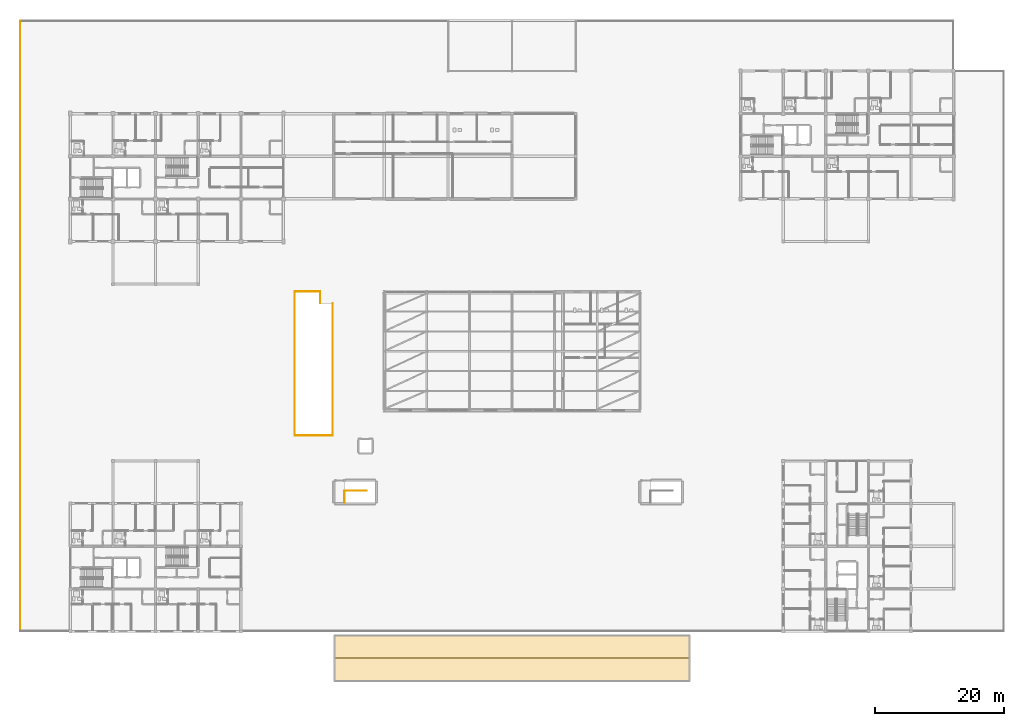
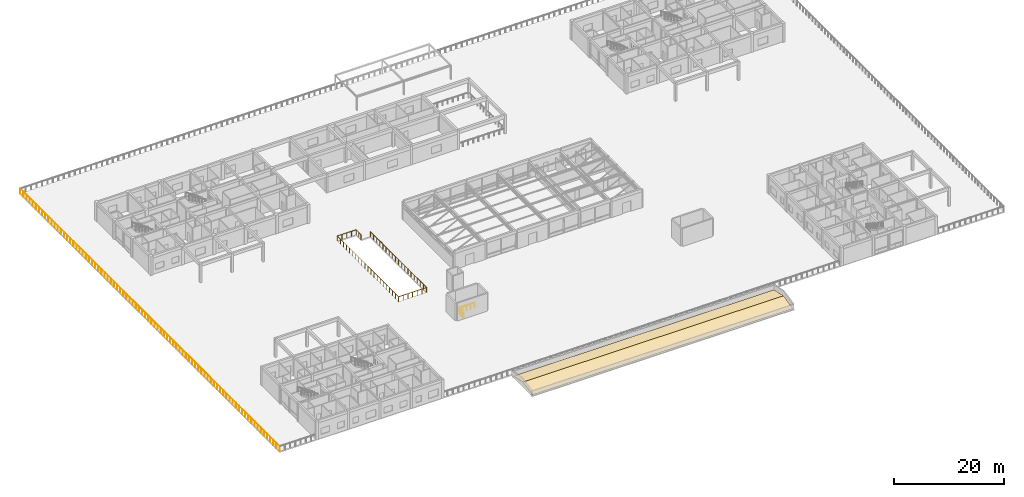
# One storey, part 82 of 92: 3 railings, 2 coverings.
"""IFC4 building model written with IfcOpenShell, lengths in metres."""

from ifc_helpers import new_model, si_unit, direction, frame, origin, origin_2d, place, context, subcontext, project, spatial, polyline, circle, outline, extrude, material, layer, layer_set, type_object, element, save


model = new_model("IFC4")

# Units and contexts
model_context = context("Model", 3, precision=1e-05, world=origin(), true_north=direction((0.0, 1.0)))
body_context = subcontext(model_context, "Body", "Model", "MODEL_VIEW")
ifc_project = project(units=[si_unit("LENGTHUNIT", "METRE"), si_unit("AREAUNIT", "SQUARE_METRE"), si_unit("VOLUMEUNIT", "CUBIC_METRE"), si_unit("PLANEANGLEUNIT", "RADIAN"), si_unit("MASSUNIT", "GRAM", prefix="KILO")], contexts=[model_context])

# Site, building, storey
site_placement = place(None, origin())
site = spatial("IfcSite", under=ifc_project, at=site_placement, CompositionType="ELEMENT")
building_placement = place(site_placement, origin())
building = spatial("IfcBuilding", under=site, at=building_placement, Name="Kernevlak Ridge Housing Community", CompositionType="ELEMENT")
storey_placement = place(building_placement, frame((0.0, 0.0, 4.199951171875)))
storey = spatial("IfcBuildingStorey", under=building, at=storey_placement, Name="L01", CompositionType="ELEMENT", Elevation=4.199951171875)

# Coverings
ifc_material_1 = material(Name="Cool-white TPO membrane over rigid roof insulation")
ifc_layer = layer(ifc_material_1, 0.06005859375, Name="Cool-white TPO membrane over rigid roof insulation")
ifc_layer_set = layer_set([ifc_layer], Name="Cool-white TPO membrane over rigid roof insulation")
covering_type = type_object("IfcCoveringType", Name="CV-03", PredefinedType="ROOFING", material=ifc_layer_set)
for number, where, z_axis, x_axis, name in (
    (1, (56.60009765625, 8.0, 0.10546875), (0.0, -0.214016409467, 0.976830065303), (1.0, 0.0, 0.0), "Retail arcade roof membrane (south slope)"),
    (2, (56.60009765625, 11.449951171875, 0.861328125), (0.0, 0.214016409467, 0.976830065303), (1.0, 0.0, 0.0), "Retail arcade roof membrane (north slope)"),
):
    element("IfcCovering", number, at=place(storey_placement, frame(where, z_axis=z_axis, x_axis=x_axis)), inside=storey, type_object=covering_type, Name=name, PredefinedType="ROOFING", context=body_context, shape_type="SweptSolid", body=[
        extrude(outline(polyline([(0.0, 0.0), (54.7998046875, 0.0), (54.7998046875, 3.531782338012505), (0.0, 3.531782338012505), (0.0, 0.0)])), origin(), (0.0, 0.0, -1.0), 0.06005859375),
    ])

# Railings
ifc_material_2 = material(Name="Steel S355", Category="steel")
railing_type_1 = type_object("IfcRailingType", Name="GR-01", PredefinedType="GUARDRAIL", material=ifc_material_2)
railing_1_placement = place(storey_placement, frame((7.85009765625, 110.14990234375, 0.0)))
element("IfcRailing", 3, at=railing_1_placement, inside=storey, type_object=railing_type_1, Name="L01 civic plaza perimeter guard GR-01 63", PredefinedType="GUARDRAIL", context=body_context, shape_type="SweptSolid", body=[
    extrude(circle(Radius=0.02392578125, at=origin_2d()), frame((0.0, 0.0, 1.09619140625), z_axis=(0.0, -1.0, 0.0), x_axis=(1.0, 0.0, 0.0)), (0.0, 0.0, 1.0), 94.5),
    extrude(circle(Radius=0.02099609375, at=origin_2d()), origin(), (0.0, 0.0, 1.0), 1.072021484375),
    extrude(circle(Radius=0.02099609375, at=origin_2d()), frame((0.0, -1.138671875, 0.0)), (0.0, 0.0, 1.0), 1.072021484375),
    extrude(circle(Radius=0.02099609375, at=origin_2d()), frame((0.0, -2.277099609375, 0.0)), (0.0, 0.0, 1.0), 1.072021484375),
    extrude(circle(Radius=0.02099609375, at=origin_2d()), frame((0.0, -3.415771484375, 0.0)), (0.0, 0.0, 1.0), 1.072021484375),
    extrude(circle(Radius=0.02099609375, at=origin_2d()), frame((0.0, -4.55419921875, 0.0)), (0.0, 0.0, 1.0), 1.072021484375),
    extrude(circle(Radius=0.02099609375, at=origin_2d()), frame((0.0, -5.69287109375, 0.0)), (0.0, 0.0, 1.0), 1.072021484375),
    extrude(circle(Radius=0.02099609375, at=origin_2d()), frame((0.0, -6.831298828125, 0.0)), (0.0, 0.0, 1.0), 1.072021484375),
    extrude(circle(Radius=0.02099609375, at=origin_2d()), frame((0.0, -7.969970703125, 0.0)), (0.0, 0.0, 1.0), 1.072021484375),
    extrude(circle(Radius=0.02099609375, at=origin_2d()), frame((0.0, -9.1083984375, 0.0)), (0.0, 0.0, 1.0), 1.072021484375),
    extrude(circle(Radius=0.02099609375, at=origin_2d()), frame((0.0, -10.2470703125, 0.0)), (0.0, 0.0, 1.0), 1.072021484375),
    extrude(circle(Radius=0.02099609375, at=origin_2d()), frame((0.0, -11.385498046875, 0.0)), (0.0, 0.0, 1.0), 1.072021484375),
    extrude(circle(Radius=0.02099609375, at=origin_2d()), frame((0.0, -12.524169921875, 0.0)), (0.0, 0.0, 1.0), 1.072021484375),
    extrude(circle(Radius=0.02099609375, at=origin_2d()), frame((0.0, -13.66259765625, 0.0)), (0.0, 0.0, 1.0), 1.072021484375),
    extrude(circle(Radius=0.02099609375, at=origin_2d()), frame((0.0, -14.80126953125, 0.0)), (0.0, 0.0, 1.0), 1.072021484375),
    extrude(circle(Radius=0.02099609375, at=origin_2d()), frame((0.0, -15.939697265625, 0.0)), (0.0, 0.0, 1.0), 1.072021484375),
    extrude(circle(Radius=0.02099609375, at=origin_2d()), frame((0.0, -17.078369140625, 0.0)), (0.0, 0.0, 1.0), 1.072021484375),
    extrude(circle(Radius=0.02099609375, at=origin_2d()), frame((0.0, -18.216796875, 0.0)), (0.0, 0.0, 1.0), 1.072021484375),
    extrude(circle(Radius=0.02099609375, at=origin_2d()), frame((0.0, -19.35546875, 0.0)), (0.0, 0.0, 1.0), 1.072021484375),
    extrude(circle(Radius=0.02099609375, at=origin_2d()), frame((0.0, -20.493896484375, 0.0)), (0.0, 0.0, 1.0), 1.072021484375),
    extrude(circle(Radius=0.02099609375, at=origin_2d()), frame((0.0, -21.632568359375, 0.0)), (0.0, 0.0, 1.0), 1.072021484375),
    extrude(circle(Radius=0.02099609375, at=origin_2d()), frame((0.0, -22.77099609375, 0.0)), (0.0, 0.0, 1.0), 1.072021484375),
    extrude(circle(Radius=0.02099609375, at=origin_2d()), frame((0.0, -23.90966796875, 0.0)), (0.0, 0.0, 1.0), 1.072021484375),
    extrude(circle(Radius=0.02099609375, at=origin_2d()), frame((0.0, -25.048095703125, 0.0)), (0.0, 0.0, 1.0), 1.072021484375),
    extrude(circle(Radius=0.02099609375, at=origin_2d()), frame((0.0, -26.186767578125, 0.0)), (0.0, 0.0, 1.0), 1.072021484375),
    extrude(circle(Radius=0.02099609375, at=origin_2d()), frame((0.0, -27.3251953125, 0.0)), (0.0, 0.0, 1.0), 1.072021484375),
    extrude(circle(Radius=0.02099609375, at=origin_2d()), frame((0.0, -28.4638671875, 0.0)), (0.0, 0.0, 1.0), 1.072021484375),
    extrude(circle(Radius=0.02099609375, at=origin_2d()), frame((0.0, -29.602294921875, 0.0)), (0.0, 0.0, 1.0), 1.072021484375),
    extrude(circle(Radius=0.02099609375, at=origin_2d()), frame((0.0, -30.740966796875, 0.0)), (0.0, 0.0, 1.0), 1.072021484375),
    extrude(circle(Radius=0.02099609375, at=origin_2d()), frame((0.0, -31.879638671875, 0.0)), (0.0, 0.0, 1.0), 1.072021484375),
    extrude(circle(Radius=0.02099609375, at=origin_2d()), frame((0.0, -33.01806640625, 0.0)), (0.0, 0.0, 1.0), 1.072021484375),
    extrude(circle(Radius=0.02099609375, at=origin_2d()), frame((0.0, -34.15673828125, 0.0)), (0.0, 0.0, 1.0), 1.072021484375),
    extrude(circle(Radius=0.02099609375, at=origin_2d()), frame((0.0, -35.295166015625, 0.0)), (0.0, 0.0, 1.0), 1.072021484375),
    extrude(circle(Radius=0.02099609375, at=origin_2d()), frame((0.0, -36.433837890625, 0.0)), (0.0, 0.0, 1.0), 1.072021484375),
    extrude(circle(Radius=0.02099609375, at=origin_2d()), frame((0.0, -37.572265625, 0.0)), (0.0, 0.0, 1.0), 1.072021484375),
    extrude(circle(Radius=0.02099609375, at=origin_2d()), frame((0.0, -38.7109375, 0.0)), (0.0, 0.0, 1.0), 1.072021484375),
    extrude(circle(Radius=0.02099609375, at=origin_2d()), frame((0.0, -39.849365234375, 0.0)), (0.0, 0.0, 1.0), 1.072021484375),
    extrude(circle(Radius=0.02099609375, at=origin_2d()), frame((0.0, -40.988037109375, 0.0)), (0.0, 0.0, 1.0), 1.072021484375),
    extrude(circle(Radius=0.02099609375, at=origin_2d()), frame((0.0, -42.12646484375, 0.0)), (0.0, 0.0, 1.0), 1.072021484375),
    extrude(circle(Radius=0.02099609375, at=origin_2d()), frame((0.0, -43.26513671875, 0.0)), (0.0, 0.0, 1.0), 1.072021484375),
    extrude(circle(Radius=0.02099609375, at=origin_2d()), frame((0.0, -44.403564453125, 0.0)), (0.0, 0.0, 1.0), 1.072021484375),
    extrude(circle(Radius=0.02099609375, at=origin_2d()), frame((0.0, -45.542236328125, 0.0)), (0.0, 0.0, 1.0), 1.072021484375),
    extrude(circle(Radius=0.02099609375, at=origin_2d()), frame((0.0, -46.6806640625, 0.0)), (0.0, 0.0, 1.0), 1.072021484375),
    extrude(circle(Radius=0.02099609375, at=origin_2d()), frame((0.0, -47.8193359375, 0.0)), (0.0, 0.0, 1.0), 1.072021484375),
    extrude(circle(Radius=0.02099609375, at=origin_2d()), frame((0.0, -48.957763671875, 0.0)), (0.0, 0.0, 1.0), 1.072021484375),
    extrude(circle(Radius=0.02099609375, at=origin_2d()), frame((0.0, -50.096435546875, 0.0)), (0.0, 0.0, 1.0), 1.072021484375),
    extrude(circle(Radius=0.02099609375, at=origin_2d()), frame((0.0, -51.23486328125, 0.0)), (0.0, 0.0, 1.0), 1.072021484375),
    extrude(circle(Radius=0.02099609375, at=origin_2d()), frame((0.0, -52.37353515625, 0.0)), (0.0, 0.0, 1.0), 1.072021484375),
    extrude(circle(Radius=0.02099609375, at=origin_2d()), frame((0.0, -53.511962890625, 0.0)), (0.0, 0.0, 1.0), 1.072021484375),
    extrude(circle(Radius=0.02099609375, at=origin_2d()), frame((0.0, -54.650634765625, 0.0)), (0.0, 0.0, 1.0), 1.072021484375),
    extrude(circle(Radius=0.02099609375, at=origin_2d()), frame((0.0, -55.7890625, 0.0)), (0.0, 0.0, 1.0), 1.072021484375),
    extrude(circle(Radius=0.02099609375, at=origin_2d()), frame((0.0, -56.927734375, 0.0)), (0.0, 0.0, 1.0), 1.072021484375),
    extrude(circle(Radius=0.02099609375, at=origin_2d()), frame((0.0, -58.066162109375, 0.0)), (0.0, 0.0, 1.0), 1.072021484375),
    extrude(circle(Radius=0.02099609375, at=origin_2d()), frame((0.0, -59.204833984375, 0.0)), (0.0, 0.0, 1.0), 1.072021484375),
    extrude(circle(Radius=0.02099609375, at=origin_2d()), frame((0.0, -60.34326171875, 0.0)), (0.0, 0.0, 1.0), 1.072021484375),
    extrude(circle(Radius=0.02099609375, at=origin_2d()), frame((0.0, -61.48193359375, 0.0)), (0.0, 0.0, 1.0), 1.072021484375),
    extrude(circle(Radius=0.02099609375, at=origin_2d()), frame((0.0, -62.620361328125, 0.0)), (0.0, 0.0, 1.0), 1.072021484375),
    extrude(circle(Radius=0.02099609375, at=origin_2d()), frame((0.0, -63.759033203125, 0.0)), (0.0, 0.0, 1.0), 1.072021484375),
    extrude(circle(Radius=0.02099609375, at=origin_2d()), frame((0.0, -64.897705078125, 0.0)), (0.0, 0.0, 1.0), 1.072021484375),
    extrude(circle(Radius=0.02099609375, at=origin_2d()), frame((0.0, -66.0361328125, 0.0)), (0.0, 0.0, 1.0), 1.072021484375),
    extrude(circle(Radius=0.02099609375, at=origin_2d()), frame((0.0, -67.1748046875, 0.0)), (0.0, 0.0, 1.0), 1.072021484375),
    extrude(circle(Radius=0.02099609375, at=origin_2d()), frame((0.0, -68.313232421875, 0.0)), (0.0, 0.0, 1.0), 1.072021484375),
    extrude(circle(Radius=0.02099609375, at=origin_2d()), frame((0.0, -69.451904296875, 0.0)), (0.0, 0.0, 1.0), 1.072021484375),
    extrude(circle(Radius=0.02099609375, at=origin_2d()), frame((0.0, -70.59033203125, 0.0)), (0.0, 0.0, 1.0), 1.072021484375),
    extrude(circle(Radius=0.02099609375, at=origin_2d()), frame((0.0, -71.72900390625, 0.0)), (0.0, 0.0, 1.0), 1.072021484375),
    extrude(circle(Radius=0.02099609375, at=origin_2d()), frame((0.0, -72.867431640625, 0.0)), (0.0, 0.0, 1.0), 1.072021484375),
    extrude(circle(Radius=0.02099609375, at=origin_2d()), frame((0.0, -74.006103515625, 0.0)), (0.0, 0.0, 1.0), 1.072021484375),
    extrude(circle(Radius=0.02099609375, at=origin_2d()), frame((0.0, -75.14453125, 0.0)), (0.0, 0.0, 1.0), 1.072021484375),
    extrude(circle(Radius=0.02099609375, at=origin_2d()), frame((0.0, -76.283203125, 0.0)), (0.0, 0.0, 1.0), 1.072021484375),
    extrude(circle(Radius=0.02099609375, at=origin_2d()), frame((0.0, -77.421630859375, 0.0)), (0.0, 0.0, 1.0), 1.072021484375),
    extrude(circle(Radius=0.02099609375, at=origin_2d()), frame((0.0, -78.560302734375, 0.0)), (0.0, 0.0, 1.0), 1.072021484375),
    extrude(circle(Radius=0.02099609375, at=origin_2d()), frame((0.0, -79.69873046875, 0.0)), (0.0, 0.0, 1.0), 1.072021484375),
    extrude(circle(Radius=0.02099609375, at=origin_2d()), frame((0.0, -80.83740234375, 0.0)), (0.0, 0.0, 1.0), 1.072021484375),
    extrude(circle(Radius=0.02099609375, at=origin_2d()), frame((0.0, -81.975830078125, 0.0)), (0.0, 0.0, 1.0), 1.072021484375),
    extrude(circle(Radius=0.02099609375, at=origin_2d()), frame((0.0, -83.114501953125, 0.0)), (0.0, 0.0, 1.0), 1.072021484375),
    extrude(circle(Radius=0.02099609375, at=origin_2d()), frame((0.0, -84.2529296875, 0.0)), (0.0, 0.0, 1.0), 1.072021484375),
    extrude(circle(Radius=0.02099609375, at=origin_2d()), frame((0.0, -85.3916015625, 0.0)), (0.0, 0.0, 1.0), 1.072021484375),
    extrude(circle(Radius=0.02099609375, at=origin_2d()), frame((0.0, -86.530029296875, 0.0)), (0.0, 0.0, 1.0), 1.072021484375),
    extrude(circle(Radius=0.02099609375, at=origin_2d()), frame((0.0, -87.668701171875, 0.0)), (0.0, 0.0, 1.0), 1.072021484375),
    extrude(circle(Radius=0.02099609375, at=origin_2d()), frame((0.0, -88.80712890625, 0.0)), (0.0, 0.0, 1.0), 1.072021484375),
    extrude(circle(Radius=0.02099609375, at=origin_2d()), frame((0.0, -89.94580078125, 0.0)), (0.0, 0.0, 1.0), 1.072021484375),
    extrude(circle(Radius=0.02099609375, at=origin_2d()), frame((0.0, -91.084228515625, 0.0)), (0.0, 0.0, 1.0), 1.072021484375),
    extrude(circle(Radius=0.02099609375, at=origin_2d()), frame((0.0, -92.222900390625, 0.0)), (0.0, 0.0, 1.0), 1.072021484375),
    extrude(circle(Radius=0.02099609375, at=origin_2d()), frame((0.0, -93.361328125, 0.0)), (0.0, 0.0, 1.0), 1.072021484375),
    extrude(circle(Radius=0.02099609375, at=origin_2d()), frame((0.0, -94.5, 0.0)), (0.0, 0.0, 1.0), 1.072021484375),
])
railing_2_placement = place(storey_placement, frame((54.300048828125, 66.449951171875, 0.0)))
element("IfcRailing", 4, at=railing_2_placement, inside=storey, type_object=railing_type_1, Name="L01 civic plaza perimeter guard GR-01 64", PredefinedType="GUARDRAIL", context=body_context, shape_type="SweptSolid", body=[
    extrude(circle(Radius=0.02392578125, at=origin_2d()), frame((0.0, 0.0, 1.09619140625), z_axis=(0.0, 1.0, 0.0), x_axis=(-1.0, 0.0, 0.0)), (0.0, 0.0, 1.0), 1.800048828125),
    extrude(circle(Radius=0.02392578125, at=origin_2d()), frame((0.0, 1.800048828125, 1.09619140625), z_axis=(-1.0, 0.0, 0.0), x_axis=(0.0, -1.0, 0.0)), (0.0, 0.0, 1.0), 3.949951171875),
    extrude(circle(Radius=0.02392578125, at=origin_2d()), frame((-3.949951171875, 1.800048828125, 1.09619140625), z_axis=(0.0, -1.0, 0.0), x_axis=(1.0, 0.0, 0.0)), (0.0, 0.0, 1.0), 22.300048828125),
    extrude(circle(Radius=0.02392578125, at=origin_2d()), frame((-3.949951171875, -20.5, 1.09619140625), z_axis=(1.0, 0.0, 0.0), x_axis=(0.0, 1.0, 0.0)), (0.0, 0.0, 1.0), 5.89990234375),
    extrude(circle(Radius=0.02392578125, at=origin_2d()), frame((1.949951171875, -20.5, 1.09619140625), z_axis=(0.0, 1.0, 0.0), x_axis=(-1.0, 0.0, 0.0)), (0.0, 0.0, 1.0), 20.449951171875),
    extrude(circle(Radius=0.02099609375, at=origin_2d()), origin(), (0.0, 0.0, 1.0), 1.072021484375),
    extrude(circle(Radius=0.02099609375, at=origin_2d()), frame((0.0, 0.89990234375, 0.0)), (0.0, 0.0, 1.0), 1.072021484375),
    extrude(circle(Radius=0.02099609375, at=origin_2d()), frame((0.0, 1.800048828125, 0.0)), (0.0, 0.0, 1.0), 1.072021484375),
    extrude(circle(Radius=0.02099609375, at=origin_2d()), frame((-0.987548828125, 1.800048828125, 0.0)), (0.0, 0.0, 1.0), 1.072021484375),
    extrude(circle(Radius=0.02099609375, at=origin_2d()), frame((-1.97509765625, 1.800048828125, 0.0)), (0.0, 0.0, 1.0), 1.072021484375),
    extrude(circle(Radius=0.02099609375, at=origin_2d()), frame((-2.96240234375, 1.800048828125, 0.0)), (0.0, 0.0, 1.0), 1.072021484375),
    extrude(circle(Radius=0.02099609375, at=origin_2d()), frame((-3.949951171875, 1.800048828125, 0.0)), (0.0, 0.0, 1.0), 1.072021484375),
    extrude(circle(Radius=0.02099609375, at=origin_2d()), frame((-3.949951171875, 0.68505859375, 0.0)), (0.0, 0.0, 1.0), 1.072021484375),
    extrude(circle(Radius=0.02099609375, at=origin_2d()), frame((-3.949951171875, -0.429931640625, 0.0)), (0.0, 0.0, 1.0), 1.072021484375),
    extrude(circle(Radius=0.02099609375, at=origin_2d()), frame((-3.949951171875, -1.544921875, 0.0)), (0.0, 0.0, 1.0), 1.072021484375),
    extrude(circle(Radius=0.02099609375, at=origin_2d()), frame((-3.949951171875, -2.659912109375, 0.0)), (0.0, 0.0, 1.0), 1.072021484375),
    extrude(circle(Radius=0.02099609375, at=origin_2d()), frame((-3.949951171875, -3.77490234375, 0.0)), (0.0, 0.0, 1.0), 1.072021484375),
    extrude(circle(Radius=0.02099609375, at=origin_2d()), frame((-3.949951171875, -4.889892578125, 0.0)), (0.0, 0.0, 1.0), 1.072021484375),
    extrude(circle(Radius=0.02099609375, at=origin_2d()), frame((-3.949951171875, -6.0048828125, 0.0)), (0.0, 0.0, 1.0), 1.072021484375),
    extrude(circle(Radius=0.02099609375, at=origin_2d()), frame((-3.949951171875, -7.119873046875, 0.0)), (0.0, 0.0, 1.0), 1.072021484375),
    extrude(circle(Radius=0.02099609375, at=origin_2d()), frame((-3.949951171875, -8.23486328125, 0.0)), (0.0, 0.0, 1.0), 1.072021484375),
    extrude(circle(Radius=0.02099609375, at=origin_2d()), frame((-3.949951171875, -9.35009765625, 0.0)), (0.0, 0.0, 1.0), 1.072021484375),
    extrude(circle(Radius=0.02099609375, at=origin_2d()), frame((-3.949951171875, -10.465087890625, 0.0)), (0.0, 0.0, 1.0), 1.072021484375),
    extrude(circle(Radius=0.02099609375, at=origin_2d()), frame((-3.949951171875, -11.580078125, 0.0)), (0.0, 0.0, 1.0), 1.072021484375),
    extrude(circle(Radius=0.02099609375, at=origin_2d()), frame((-3.949951171875, -12.695068359375, 0.0)), (0.0, 0.0, 1.0), 1.072021484375),
    extrude(circle(Radius=0.02099609375, at=origin_2d()), frame((-3.949951171875, -13.81005859375, 0.0)), (0.0, 0.0, 1.0), 1.072021484375),
    extrude(circle(Radius=0.02099609375, at=origin_2d()), frame((-3.949951171875, -14.925048828125, 0.0)), (0.0, 0.0, 1.0), 1.072021484375),
    extrude(circle(Radius=0.02099609375, at=origin_2d()), frame((-3.949951171875, -16.0400390625, 0.0)), (0.0, 0.0, 1.0), 1.072021484375),
    extrude(circle(Radius=0.02099609375, at=origin_2d()), frame((-3.949951171875, -17.155029296875, 0.0)), (0.0, 0.0, 1.0), 1.072021484375),
    extrude(circle(Radius=0.02099609375, at=origin_2d()), frame((-3.949951171875, -18.27001953125, 0.0)), (0.0, 0.0, 1.0), 1.072021484375),
    extrude(circle(Radius=0.02099609375, at=origin_2d()), frame((-3.949951171875, -19.385009765625, 0.0)), (0.0, 0.0, 1.0), 1.072021484375),
    extrude(circle(Radius=0.02099609375, at=origin_2d()), frame((-3.949951171875, -20.5, 0.0)), (0.0, 0.0, 1.0), 1.072021484375),
    extrude(circle(Radius=0.02099609375, at=origin_2d()), frame((-2.966552734375, -20.5, 0.0)), (0.0, 0.0, 1.0), 1.072021484375),
    extrude(circle(Radius=0.02099609375, at=origin_2d()), frame((-1.9833984375, -20.5, 0.0)), (0.0, 0.0, 1.0), 1.072021484375),
    extrude(circle(Radius=0.02099609375, at=origin_2d()), frame((-1.0, -20.5, 0.0)), (0.0, 0.0, 1.0), 1.072021484375),
    extrude(circle(Radius=0.02099609375, at=origin_2d()), frame((-0.0166015625, -20.5, 0.0)), (0.0, 0.0, 1.0), 1.072021484375),
    extrude(circle(Radius=0.02099609375, at=origin_2d()), frame((0.966552734375, -20.5, 0.0)), (0.0, 0.0, 1.0), 1.072021484375),
    extrude(circle(Radius=0.02099609375, at=origin_2d()), frame((1.949951171875, -20.5, 0.0)), (0.0, 0.0, 1.0), 1.072021484375),
    extrude(circle(Radius=0.02099609375, at=origin_2d()), frame((1.949951171875, -19.36376953125, 0.0)), (0.0, 0.0, 1.0), 1.072021484375),
    extrude(circle(Radius=0.02099609375, at=origin_2d()), frame((1.949951171875, -18.227783203125, 0.0)), (0.0, 0.0, 1.0), 1.072021484375),
    extrude(circle(Radius=0.02099609375, at=origin_2d()), frame((1.949951171875, -17.091796875, 0.0)), (0.0, 0.0, 1.0), 1.072021484375),
    extrude(circle(Radius=0.02099609375, at=origin_2d()), frame((1.949951171875, -15.95556640625, 0.0)), (0.0, 0.0, 1.0), 1.072021484375),
    extrude(circle(Radius=0.02099609375, at=origin_2d()), frame((1.949951171875, -14.8193359375, 0.0)), (0.0, 0.0, 1.0), 1.072021484375),
    extrude(circle(Radius=0.02099609375, at=origin_2d()), frame((1.949951171875, -13.683349609375, 0.0)), (0.0, 0.0, 1.0), 1.072021484375),
    extrude(circle(Radius=0.02099609375, at=origin_2d()), frame((1.949951171875, -12.54736328125, 0.0)), (0.0, 0.0, 1.0), 1.072021484375),
    extrude(circle(Radius=0.02099609375, at=origin_2d()), frame((1.949951171875, -11.4111328125, 0.0)), (0.0, 0.0, 1.0), 1.072021484375),
    extrude(circle(Radius=0.02099609375, at=origin_2d()), frame((1.949951171875, -10.27490234375, 0.0)), (0.0, 0.0, 1.0), 1.072021484375),
    extrude(circle(Radius=0.02099609375, at=origin_2d()), frame((1.949951171875, -9.138916015625, 0.0)), (0.0, 0.0, 1.0), 1.072021484375),
    extrude(circle(Radius=0.02099609375, at=origin_2d()), frame((1.949951171875, -8.002685546875, 0.0)), (0.0, 0.0, 1.0), 1.072021484375),
    extrude(circle(Radius=0.02099609375, at=origin_2d()), frame((1.949951171875, -6.86669921875, 0.0)), (0.0, 0.0, 1.0), 1.072021484375),
    extrude(circle(Radius=0.02099609375, at=origin_2d()), frame((1.949951171875, -5.73046875, 0.0)), (0.0, 0.0, 1.0), 1.072021484375),
    extrude(circle(Radius=0.02099609375, at=origin_2d()), frame((1.949951171875, -4.594482421875, 0.0)), (0.0, 0.0, 1.0), 1.072021484375),
    extrude(circle(Radius=0.02099609375, at=origin_2d()), frame((1.949951171875, -3.45849609375, 0.0)), (0.0, 0.0, 1.0), 1.072021484375),
    extrude(circle(Radius=0.02099609375, at=origin_2d()), frame((1.949951171875, -2.322265625, 0.0)), (0.0, 0.0, 1.0), 1.072021484375),
    extrude(circle(Radius=0.02099609375, at=origin_2d()), frame((1.949951171875, -1.18603515625, 0.0)), (0.0, 0.0, 1.0), 1.072021484375),
    extrude(circle(Radius=0.02099609375, at=origin_2d()), frame((1.949951171875, -0.050048828125, 0.0)), (0.0, 0.0, 1.0), 1.072021484375),
])
railing_type_2 = type_object("IfcRailingType", Name="GR-02", PredefinedType="GUARDRAIL", material=ifc_material_2)
railing_3_placement = place(storey_placement, frame((58.0400390625, 35.580078125, 0.0)))
element("IfcRailing", 5, at=railing_3_placement, inside=storey, type_object=railing_type_2, Name="Stair ST-P1 L01 top well guardrail", PredefinedType="GUARDRAIL", context=body_context, shape_type="SweptSolid", body=[
    extrude(circle(Radius=0.02392578125, at=origin_2d()), frame((0.0, 0.0, 1.09619140625), z_axis=(0.0, 1.0, 0.0), x_axis=(-1.0, 0.0, 0.0)), (0.0, 0.0, 1.0), 1.809814453125),
    extrude(circle(Radius=0.02392578125, at=origin_2d()), frame((0.0, 1.809814453125, 1.09619140625), z_axis=(1.0, 0.0, 0.0), x_axis=(0.0, 1.0, 0.0)), (0.0, 0.0, 1.0), 3.409912109375),
    extrude(circle(Radius=0.02099609375, at=origin_2d()), origin(), (0.0, 0.0, 1.0), 1.072021484375),
    extrude(circle(Radius=0.02099609375, at=origin_2d()), frame((0.0, 0.603271484375, 0.0)), (0.0, 0.0, 1.0), 1.072021484375),
    extrude(circle(Radius=0.02099609375, at=origin_2d()), frame((0.0, 1.20654296875, 0.0)), (0.0, 0.0, 1.0), 1.072021484375),
    extrude(circle(Radius=0.02099609375, at=origin_2d()), frame((0.0, 1.809814453125, 0.0)), (0.0, 0.0, 1.0), 1.072021484375),
    extrude(circle(Radius=0.02099609375, at=origin_2d()), frame((0.8525390625, 1.809814453125, 0.0)), (0.0, 0.0, 1.0), 1.072021484375),
    extrude(circle(Radius=0.02099609375, at=origin_2d()), frame((1.705078125, 1.809814453125, 0.0)), (0.0, 0.0, 1.0), 1.072021484375),
    extrude(circle(Radius=0.02099609375, at=origin_2d()), frame((2.557373046875, 1.809814453125, 0.0)), (0.0, 0.0, 1.0), 1.072021484375),
    extrude(circle(Radius=0.02099609375, at=origin_2d()), frame((3.409912109375, 1.809814453125, 0.0)), (0.0, 0.0, 1.0), 1.072021484375),
])

save(model, "model.ifc")
